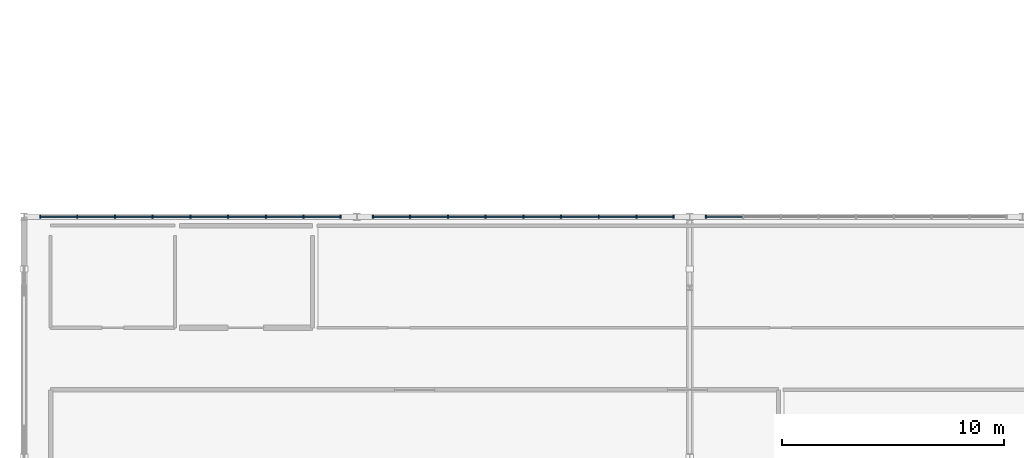
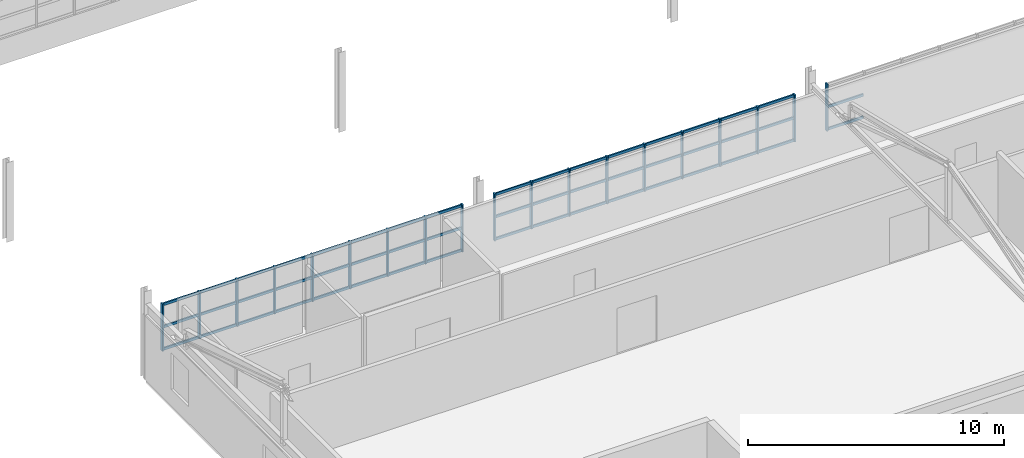
# One storey, part 15 of 90: 69 members, 3 elements without a shape of their own.
"""IFC4 building model written with IfcOpenShell, lengths in metres."""

from ifc_helpers import new_model, si_unit, direction, frame, origin, origin_2d, place, context, subcontext, project, spatial, rectangle, extrude, material, material_profile, profile_set, type_object, element, aggregate, save


model = new_model("IFC4")

# Units and contexts
model_context = context("Model", 3, precision=1e-05, world=origin(), true_north=direction((0.0, 1.0)))
body_context = subcontext(model_context, "Body", "Model", "MODEL_VIEW")
ifc_project = project(units=[si_unit("LENGTHUNIT", "METRE"), si_unit("AREAUNIT", "SQUARE_METRE"), si_unit("VOLUMEUNIT", "CUBIC_METRE"), si_unit("PLANEANGLEUNIT", "RADIAN"), si_unit("MASSUNIT", "GRAM", prefix="KILO")], contexts=[model_context])

# Site, building, storey
site_placement = place(None, origin())
site = spatial("IfcSite", under=ifc_project, at=site_placement, CompositionType="ELEMENT")
building_placement = place(site_placement, origin())
building = spatial("IfcBuilding", under=site, at=building_placement, Name="Solanera Park Tramway Depot", CompositionType="ELEMENT")
storey_placement = place(building_placement, frame((0.0, 0.0, 9.0)))
storey = spatial("IfcBuildingStorey", under=building, at=storey_placement, Name="L02", CompositionType="ELEMENT", Elevation=9.0)

# Curtain wall, members
ifc_material_1 = material(Name="Bronze-anodised thermally broken aluminium curtain wall", Category="aluminium")
curtain_wall_type = type_object("IfcCurtainWallType", Name="Workshop Daylight Ribbon Curtain Wall", PredefinedType="NOTDEFINED", material=ifc_material_1)
curtain_wall_1_placement = place(storey_placement, origin())
curtain_wall_1 = element("IfcCurtainWall", 1, at=curtain_wall_1_placement, inside=storey, type_object=curtain_wall_type, Name="L02 Workshop Daylight Ribbon Curtain Wall #153", PredefinedType="NOTDEFINED")
ifc_material_2 = material(Name="Bronze-anodised structural aluminium 6063-T6", Category="aluminium")
ifc_material_profile_1 = material_profile(ifc_material_2, rectangle(XDim=0.06494140625, YDim=0.14990234375, at=origin_2d()), Name="Curtain Wall Mullion 65x150")
ifc_profile_set_1 = profile_set([ifc_material_profile_1], Name="Bronze-anodised structural aluminium 6063-T6")
member_type_1 = type_object("IfcMemberType", Name="Curtain Wall Mullion 65x150", PredefinedType="MULLION", material=ifc_profile_set_1)
member_1_placement = place(storey_placement, frame((0.732421875, 32.39990234375, 1.0), z_axis=(0.0, 0.0, 1.0), x_axis=(1.0, 0.0, 0.0)))
member_1 = element("IfcMember", 2, at=member_1_placement, type_object=member_type_1, Name="CW-L02-153 Mullion 1", PredefinedType="MULLION", context=body_context, shape_type="SweptSolid", body=[
    extrude(rectangle(XDim=0.06494140625, YDim=0.14990234375, at=origin_2d()), origin(), (0.0, 0.0, 1.0), 2.25),
])
member_2_placement = place(storey_placement, frame((2.39990234375, 32.39990234375, 1.0), z_axis=(0.0, 0.0, 1.0), x_axis=(1.0, 0.0, 0.0)))
member_2 = element("IfcMember", 3, at=member_2_placement, type_object=member_type_1, Name="CW-L02-153 Mullion 2", PredefinedType="MULLION", context=body_context, shape_type="SweptSolid", body=[
    extrude(rectangle(XDim=0.06494140625, YDim=0.14990234375, at=origin_2d()), origin(), (0.0, 0.0, 1.0), 2.25),
])
member_3_placement = place(storey_placement, frame((4.10009765625, 32.39990234375, 1.0), z_axis=(0.0, 0.0, 1.0), x_axis=(1.0, 0.0, 0.0)))
member_3 = element("IfcMember", 4, at=member_3_placement, type_object=member_type_1, Name="CW-L02-153 Mullion 3", PredefinedType="MULLION", context=body_context, shape_type="SweptSolid", body=[
    extrude(rectangle(XDim=0.06494140625, YDim=0.14990234375, at=origin_2d()), origin(), (0.0, 0.0, 1.0), 2.25),
])
member_4_placement = place(storey_placement, frame((5.800048828125, 32.39990234375, 1.0), z_axis=(0.0, 0.0, 1.0), x_axis=(1.0, 0.0, 0.0)))
member_4 = element("IfcMember", 5, at=member_4_placement, type_object=member_type_1, Name="CW-L02-153 Mullion 4", PredefinedType="MULLION", context=body_context, shape_type="SweptSolid", body=[
    extrude(rectangle(XDim=0.06494140625, YDim=0.14990234375, at=origin_2d()), origin(), (0.0, 0.0, 1.0), 2.25),
])
member_5_placement = place(storey_placement, frame((7.5, 32.39990234375, 1.0), z_axis=(0.0, 0.0, 1.0), x_axis=(1.0, 0.0, 0.0)))
member_5 = element("IfcMember", 6, at=member_5_placement, type_object=member_type_1, Name="CW-L02-153 Mullion 5", PredefinedType="MULLION", context=body_context, shape_type="SweptSolid", body=[
    extrude(rectangle(XDim=0.06494140625, YDim=0.14990234375, at=origin_2d()), origin(), (0.0, 0.0, 1.0), 2.25),
])
member_6_placement = place(storey_placement, frame((9.199951171875, 32.39990234375, 1.0), z_axis=(0.0, 0.0, 1.0), x_axis=(1.0, 0.0, 0.0)))
member_6 = element("IfcMember", 7, at=member_6_placement, type_object=member_type_1, Name="CW-L02-153 Mullion 6", PredefinedType="MULLION", context=body_context, shape_type="SweptSolid", body=[
    extrude(rectangle(XDim=0.06494140625, YDim=0.14990234375, at=origin_2d()), origin(), (0.0, 0.0, 1.0), 2.25),
])
member_7_placement = place(storey_placement, frame((10.89990234375, 32.39990234375, 1.0), z_axis=(0.0, 0.0, 1.0), x_axis=(1.0, 0.0, 0.0)))
member_7 = element("IfcMember", 8, at=member_7_placement, type_object=member_type_1, Name="CW-L02-153 Mullion 7", PredefinedType="MULLION", context=body_context, shape_type="SweptSolid", body=[
    extrude(rectangle(XDim=0.06494140625, YDim=0.14990234375, at=origin_2d()), origin(), (0.0, 0.0, 1.0), 2.25),
])
member_8_placement = place(storey_placement, frame((12.60009765625, 32.39990234375, 1.0), z_axis=(0.0, 0.0, 1.0), x_axis=(1.0, 0.0, 0.0)))
member_8 = element("IfcMember", 9, at=member_8_placement, type_object=member_type_1, Name="CW-L02-153 Mullion 8", PredefinedType="MULLION", context=body_context, shape_type="SweptSolid", body=[
    extrude(rectangle(XDim=0.06494140625, YDim=0.14990234375, at=origin_2d()), origin(), (0.0, 0.0, 1.0), 2.25),
])
member_9_placement = place(storey_placement, frame((14.267578125, 32.39990234375, 1.0), z_axis=(0.0, 0.0, 1.0), x_axis=(1.0, 0.0, 0.0)))
member_9 = element("IfcMember", 10, at=member_9_placement, type_object=member_type_1, Name="CW-L02-153 Mullion 9", PredefinedType="MULLION", context=body_context, shape_type="SweptSolid", body=[
    extrude(rectangle(XDim=0.06494140625, YDim=0.14990234375, at=origin_2d()), origin(), (0.0, 0.0, 1.0), 2.25),
])

curtain_wall_2_placement = place(storey_placement, origin())
curtain_wall_2 = element("IfcCurtainWall", 11, at=curtain_wall_2_placement, inside=storey, type_object=curtain_wall_type, Name="L02 Workshop Daylight Ribbon Curtain Wall #155", PredefinedType="NOTDEFINED")
member_10_placement = place(storey_placement, frame((15.732421875, 32.39990234375, 1.0), z_axis=(0.0, 0.0, 1.0), x_axis=(1.0, 0.0, 0.0)))
member_10 = element("IfcMember", 12, at=member_10_placement, type_object=member_type_1, Name="CW-L02-155 Mullion 1", PredefinedType="MULLION", context=body_context, shape_type="SweptSolid", body=[
    extrude(rectangle(XDim=0.06494140625, YDim=0.14990234375, at=origin_2d()), origin(), (0.0, 0.0, 1.0), 2.25),
])
member_11_placement = place(storey_placement, frame((17.39990234375, 32.39990234375, 1.0), z_axis=(0.0, 0.0, 1.0), x_axis=(1.0, 0.0, 0.0)))
member_11 = element("IfcMember", 13, at=member_11_placement, type_object=member_type_1, Name="CW-L02-155 Mullion 2", PredefinedType="MULLION", context=body_context, shape_type="SweptSolid", body=[
    extrude(rectangle(XDim=0.06494140625, YDim=0.14990234375, at=origin_2d()), origin(), (0.0, 0.0, 1.0), 2.25),
])
member_12_placement = place(storey_placement, frame((19.10009765625, 32.39990234375, 1.0), z_axis=(0.0, 0.0, 1.0), x_axis=(1.0, 0.0, 0.0)))
member_12 = element("IfcMember", 14, at=member_12_placement, type_object=member_type_1, Name="CW-L02-155 Mullion 3", PredefinedType="MULLION", context=body_context, shape_type="SweptSolid", body=[
    extrude(rectangle(XDim=0.06494140625, YDim=0.14990234375, at=origin_2d()), origin(), (0.0, 0.0, 1.0), 2.25),
])
member_13_placement = place(storey_placement, frame((20.800048828125, 32.39990234375, 1.0), z_axis=(0.0, 0.0, 1.0), x_axis=(1.0, 0.0, 0.0)))
member_13 = element("IfcMember", 15, at=member_13_placement, type_object=member_type_1, Name="CW-L02-155 Mullion 4", PredefinedType="MULLION", context=body_context, shape_type="SweptSolid", body=[
    extrude(rectangle(XDim=0.06494140625, YDim=0.14990234375, at=origin_2d()), origin(), (0.0, 0.0, 1.0), 2.25),
])
member_14_placement = place(storey_placement, frame((22.5, 32.39990234375, 1.0), z_axis=(0.0, 0.0, 1.0), x_axis=(1.0, 0.0, 0.0)))
member_14 = element("IfcMember", 16, at=member_14_placement, type_object=member_type_1, Name="CW-L02-155 Mullion 5", PredefinedType="MULLION", context=body_context, shape_type="SweptSolid", body=[
    extrude(rectangle(XDim=0.06494140625, YDim=0.14990234375, at=origin_2d()), origin(), (0.0, 0.0, 1.0), 2.25),
])
member_15_placement = place(storey_placement, frame((24.199951171875, 32.39990234375, 1.0), z_axis=(0.0, 0.0, 1.0), x_axis=(1.0, 0.0, 0.0)))
member_15 = element("IfcMember", 17, at=member_15_placement, type_object=member_type_1, Name="CW-L02-155 Mullion 6", PredefinedType="MULLION", context=body_context, shape_type="SweptSolid", body=[
    extrude(rectangle(XDim=0.06494140625, YDim=0.14990234375, at=origin_2d()), origin(), (0.0, 0.0, 1.0), 2.25),
])
member_16_placement = place(storey_placement, frame((25.89990234375, 32.39990234375, 1.0), z_axis=(0.0, 0.0, 1.0), x_axis=(1.0, 0.0, 0.0)))
member_16 = element("IfcMember", 18, at=member_16_placement, type_object=member_type_1, Name="CW-L02-155 Mullion 7", PredefinedType="MULLION", context=body_context, shape_type="SweptSolid", body=[
    extrude(rectangle(XDim=0.06494140625, YDim=0.14990234375, at=origin_2d()), origin(), (0.0, 0.0, 1.0), 2.25),
])
member_17_placement = place(storey_placement, frame((27.60009765625, 32.39990234375, 1.0), z_axis=(0.0, 0.0, 1.0), x_axis=(1.0, 0.0, 0.0)))
member_17 = element("IfcMember", 19, at=member_17_placement, type_object=member_type_1, Name="CW-L02-155 Mullion 8", PredefinedType="MULLION", context=body_context, shape_type="SweptSolid", body=[
    extrude(rectangle(XDim=0.06494140625, YDim=0.14990234375, at=origin_2d()), origin(), (0.0, 0.0, 1.0), 2.25),
])
member_18_placement = place(storey_placement, frame((29.267578125, 32.39990234375, 1.0), z_axis=(0.0, 0.0, 1.0), x_axis=(1.0, 0.0, 0.0)))
member_18 = element("IfcMember", 20, at=member_18_placement, type_object=member_type_1, Name="CW-L02-155 Mullion 9", PredefinedType="MULLION", context=body_context, shape_type="SweptSolid", body=[
    extrude(rectangle(XDim=0.06494140625, YDim=0.14990234375, at=origin_2d()), origin(), (0.0, 0.0, 1.0), 2.25),
])

# Curtain wall, member
curtain_wall_3_placement = place(storey_placement, origin())
curtain_wall_3 = element("IfcCurtainWall", 21, at=curtain_wall_3_placement, inside=storey, type_object=curtain_wall_type, Name="L02 Workshop Daylight Ribbon Curtain Wall #157", PredefinedType="NOTDEFINED")
member_19_placement = place(storey_placement, frame((30.732421875, 32.39990234375, 1.0), z_axis=(0.0, 0.0, 1.0), x_axis=(1.0, 0.0, 0.0)))
member_19 = element("IfcMember", 22, at=member_19_placement, type_object=member_type_1, Name="CW-L02-157 Mullion 1", PredefinedType="MULLION", context=body_context, shape_type="SweptSolid", body=[
    extrude(rectangle(XDim=0.06494140625, YDim=0.14990234375, at=origin_2d()), origin(), (0.0, 0.0, 1.0), 2.25),
])

# Member
ifc_material_3 = material(Name="Bronze-anodised structural aluminium 6063-T6", Category="aluminium")
ifc_material_profile_2 = material_profile(ifc_material_3, rectangle(XDim=0.06494140625, YDim=0.1201171875, at=origin_2d()), Name="Curtain Wall Transom 65x120")
ifc_profile_set_2 = profile_set([ifc_material_profile_2], Name="Bronze-anodised structural aluminium 6063-T6")
member_type_2 = type_object("IfcMemberType", Name="Curtain Wall Transom 65x120", PredefinedType="USERDEFINED", material=ifc_profile_set_2)
member_20_placement = place(storey_placement, frame((0.760498046875, 32.39990234375, 1.06005859375), z_axis=(1.0, 0.0, 0.0), x_axis=(0.0, 1.0, 0.0)))
member_20 = element("IfcMember", 23, at=member_20_placement, type_object=member_type_2, Name="CW-L02-153 Transom R1.C1", ObjectType="TRANSOM", PredefinedType="USERDEFINED", context=body_context, shape_type="SweptSolid", body=[
    extrude(rectangle(XDim=0.06494140625, YDim=0.1201171875, at=origin_2d()), origin(), (0.0, 0.0, 1.0), 1.611572265625),
])

member_21_placement = place(storey_placement, frame((2.427978515625, 32.39990234375, 1.06005859375), z_axis=(1.0, 0.0, 0.0), x_axis=(0.0, 1.0, 0.0)))
member_21 = element("IfcMember", 24, at=member_21_placement, type_object=member_type_2, Name="CW-L02-153 Transom R1.C2", ObjectType="TRANSOM", PredefinedType="USERDEFINED", context=body_context, shape_type="SweptSolid", body=[
    extrude(rectangle(XDim=0.06494140625, YDim=0.1201171875, at=origin_2d()), origin(), (0.0, 0.0, 1.0), 1.64404296875),
])

member_22_placement = place(storey_placement, frame((4.1279296875, 32.39990234375, 1.06005859375), z_axis=(1.0, 0.0, 0.0), x_axis=(0.0, 1.0, 0.0)))
member_22 = element("IfcMember", 25, at=member_22_placement, type_object=member_type_2, Name="CW-L02-153 Transom R1.C3", ObjectType="TRANSOM", PredefinedType="USERDEFINED", context=body_context, shape_type="SweptSolid", body=[
    extrude(rectangle(XDim=0.06494140625, YDim=0.1201171875, at=origin_2d()), origin(), (0.0, 0.0, 1.0), 1.64404296875),
])

member_23_placement = place(storey_placement, frame((5.827880859375, 32.39990234375, 1.06005859375), z_axis=(1.0, 0.0, 0.0), x_axis=(0.0, 1.0, 0.0)))
member_23 = element("IfcMember", 26, at=member_23_placement, type_object=member_type_2, Name="CW-L02-153 Transom R1.C4", ObjectType="TRANSOM", PredefinedType="USERDEFINED", context=body_context, shape_type="SweptSolid", body=[
    extrude(rectangle(XDim=0.06494140625, YDim=0.1201171875, at=origin_2d()), origin(), (0.0, 0.0, 1.0), 1.64404296875),
])

member_24_placement = place(storey_placement, frame((7.528076171875, 32.39990234375, 1.06005859375), z_axis=(1.0, 0.0, 0.0), x_axis=(0.0, 1.0, 0.0)))
member_24 = element("IfcMember", 27, at=member_24_placement, type_object=member_type_2, Name="CW-L02-153 Transom R1.C5", ObjectType="TRANSOM", PredefinedType="USERDEFINED", context=body_context, shape_type="SweptSolid", body=[
    extrude(rectangle(XDim=0.06494140625, YDim=0.1201171875, at=origin_2d()), origin(), (0.0, 0.0, 1.0), 1.64404296875),
])

member_25_placement = place(storey_placement, frame((9.22802734375, 32.39990234375, 1.06005859375), z_axis=(1.0, 0.0, 0.0), x_axis=(0.0, 1.0, 0.0)))
member_25 = element("IfcMember", 28, at=member_25_placement, type_object=member_type_2, Name="CW-L02-153 Transom R1.C6", ObjectType="TRANSOM", PredefinedType="USERDEFINED", context=body_context, shape_type="SweptSolid", body=[
    extrude(rectangle(XDim=0.06494140625, YDim=0.1201171875, at=origin_2d()), origin(), (0.0, 0.0, 1.0), 1.64404296875),
])

member_26_placement = place(storey_placement, frame((10.927978515625, 32.39990234375, 1.06005859375), z_axis=(1.0, 0.0, 0.0), x_axis=(0.0, 1.0, 0.0)))
member_26 = element("IfcMember", 29, at=member_26_placement, type_object=member_type_2, Name="CW-L02-153 Transom R1.C7", ObjectType="TRANSOM", PredefinedType="USERDEFINED", context=body_context, shape_type="SweptSolid", body=[
    extrude(rectangle(XDim=0.06494140625, YDim=0.1201171875, at=origin_2d()), origin(), (0.0, 0.0, 1.0), 1.64404296875),
])

member_27_placement = place(storey_placement, frame((12.6279296875, 32.39990234375, 1.06005859375), z_axis=(1.0, 0.0, 0.0), x_axis=(0.0, 1.0, 0.0)))
member_27 = element("IfcMember", 30, at=member_27_placement, type_object=member_type_2, Name="CW-L02-153 Transom R1.C8", ObjectType="TRANSOM", PredefinedType="USERDEFINED", context=body_context, shape_type="SweptSolid", body=[
    extrude(rectangle(XDim=0.06494140625, YDim=0.1201171875, at=origin_2d()), origin(), (0.0, 0.0, 1.0), 1.611572265625),
])

member_28_placement = place(storey_placement, frame((0.760498046875, 32.39990234375, 2.125), z_axis=(1.0, 0.0, 0.0), x_axis=(0.0, 1.0, 0.0)))
member_28 = element("IfcMember", 31, at=member_28_placement, type_object=member_type_2, Name="CW-L02-153 Transom R2.C1", ObjectType="TRANSOM", PredefinedType="USERDEFINED", context=body_context, shape_type="SweptSolid", body=[
    extrude(rectangle(XDim=0.06494140625, YDim=0.1201171875, at=origin_2d()), origin(), (0.0, 0.0, 1.0), 1.611572265625),
])

member_29_placement = place(storey_placement, frame((2.427978515625, 32.39990234375, 2.125), z_axis=(1.0, 0.0, 0.0), x_axis=(0.0, 1.0, 0.0)))
member_29 = element("IfcMember", 32, at=member_29_placement, type_object=member_type_2, Name="CW-L02-153 Transom R2.C2", ObjectType="TRANSOM", PredefinedType="USERDEFINED", context=body_context, shape_type="SweptSolid", body=[
    extrude(rectangle(XDim=0.06494140625, YDim=0.1201171875, at=origin_2d()), origin(), (0.0, 0.0, 1.0), 1.64404296875),
])

member_30_placement = place(storey_placement, frame((4.1279296875, 32.39990234375, 2.125), z_axis=(1.0, 0.0, 0.0), x_axis=(0.0, 1.0, 0.0)))
member_30 = element("IfcMember", 33, at=member_30_placement, type_object=member_type_2, Name="CW-L02-153 Transom R2.C3", ObjectType="TRANSOM", PredefinedType="USERDEFINED", context=body_context, shape_type="SweptSolid", body=[
    extrude(rectangle(XDim=0.06494140625, YDim=0.1201171875, at=origin_2d()), origin(), (0.0, 0.0, 1.0), 1.64404296875),
])

member_31_placement = place(storey_placement, frame((5.827880859375, 32.39990234375, 2.125), z_axis=(1.0, 0.0, 0.0), x_axis=(0.0, 1.0, 0.0)))
member_31 = element("IfcMember", 34, at=member_31_placement, type_object=member_type_2, Name="CW-L02-153 Transom R2.C4", ObjectType="TRANSOM", PredefinedType="USERDEFINED", context=body_context, shape_type="SweptSolid", body=[
    extrude(rectangle(XDim=0.06494140625, YDim=0.1201171875, at=origin_2d()), origin(), (0.0, 0.0, 1.0), 1.64404296875),
])

member_32_placement = place(storey_placement, frame((7.528076171875, 32.39990234375, 2.125), z_axis=(1.0, 0.0, 0.0), x_axis=(0.0, 1.0, 0.0)))
member_32 = element("IfcMember", 35, at=member_32_placement, type_object=member_type_2, Name="CW-L02-153 Transom R2.C5", ObjectType="TRANSOM", PredefinedType="USERDEFINED", context=body_context, shape_type="SweptSolid", body=[
    extrude(rectangle(XDim=0.06494140625, YDim=0.1201171875, at=origin_2d()), origin(), (0.0, 0.0, 1.0), 1.64404296875),
])

member_33_placement = place(storey_placement, frame((9.22802734375, 32.39990234375, 2.125), z_axis=(1.0, 0.0, 0.0), x_axis=(0.0, 1.0, 0.0)))
member_33 = element("IfcMember", 36, at=member_33_placement, type_object=member_type_2, Name="CW-L02-153 Transom R2.C6", ObjectType="TRANSOM", PredefinedType="USERDEFINED", context=body_context, shape_type="SweptSolid", body=[
    extrude(rectangle(XDim=0.06494140625, YDim=0.1201171875, at=origin_2d()), origin(), (0.0, 0.0, 1.0), 1.64404296875),
])

member_34_placement = place(storey_placement, frame((10.927978515625, 32.39990234375, 2.125), z_axis=(1.0, 0.0, 0.0), x_axis=(0.0, 1.0, 0.0)))
member_34 = element("IfcMember", 37, at=member_34_placement, type_object=member_type_2, Name="CW-L02-153 Transom R2.C7", ObjectType="TRANSOM", PredefinedType="USERDEFINED", context=body_context, shape_type="SweptSolid", body=[
    extrude(rectangle(XDim=0.06494140625, YDim=0.1201171875, at=origin_2d()), origin(), (0.0, 0.0, 1.0), 1.64404296875),
])

member_35_placement = place(storey_placement, frame((12.6279296875, 32.39990234375, 2.125), z_axis=(1.0, 0.0, 0.0), x_axis=(0.0, 1.0, 0.0)))
member_35 = element("IfcMember", 38, at=member_35_placement, type_object=member_type_2, Name="CW-L02-153 Transom R2.C8", ObjectType="TRANSOM", PredefinedType="USERDEFINED", context=body_context, shape_type="SweptSolid", body=[
    extrude(rectangle(XDim=0.06494140625, YDim=0.1201171875, at=origin_2d()), origin(), (0.0, 0.0, 1.0), 1.611572265625),
])

member_36_placement = place(storey_placement, frame((0.760498046875, 32.39990234375, 3.18994140625), z_axis=(1.0, 0.0, 0.0), x_axis=(0.0, 1.0, 0.0)))
member_36 = element("IfcMember", 39, at=member_36_placement, type_object=member_type_2, Name="CW-L02-153 Transom R3.C1", ObjectType="TRANSOM", PredefinedType="USERDEFINED", context=body_context, shape_type="SweptSolid", body=[
    extrude(rectangle(XDim=0.06494140625, YDim=0.1201171875, at=origin_2d()), origin(), (0.0, 0.0, 1.0), 1.611572265625),
])

member_37_placement = place(storey_placement, frame((2.427978515625, 32.39990234375, 3.18994140625), z_axis=(1.0, 0.0, 0.0), x_axis=(0.0, 1.0, 0.0)))
member_37 = element("IfcMember", 40, at=member_37_placement, type_object=member_type_2, Name="CW-L02-153 Transom R3.C2", ObjectType="TRANSOM", PredefinedType="USERDEFINED", context=body_context, shape_type="SweptSolid", body=[
    extrude(rectangle(XDim=0.06494140625, YDim=0.1201171875, at=origin_2d()), origin(), (0.0, 0.0, 1.0), 1.64404296875),
])

member_38_placement = place(storey_placement, frame((4.1279296875, 32.39990234375, 3.18994140625), z_axis=(1.0, 0.0, 0.0), x_axis=(0.0, 1.0, 0.0)))
member_38 = element("IfcMember", 41, at=member_38_placement, type_object=member_type_2, Name="CW-L02-153 Transom R3.C3", ObjectType="TRANSOM", PredefinedType="USERDEFINED", context=body_context, shape_type="SweptSolid", body=[
    extrude(rectangle(XDim=0.06494140625, YDim=0.1201171875, at=origin_2d()), origin(), (0.0, 0.0, 1.0), 1.64404296875),
])

member_39_placement = place(storey_placement, frame((5.827880859375, 32.39990234375, 3.18994140625), z_axis=(1.0, 0.0, 0.0), x_axis=(0.0, 1.0, 0.0)))
member_39 = element("IfcMember", 42, at=member_39_placement, type_object=member_type_2, Name="CW-L02-153 Transom R3.C4", ObjectType="TRANSOM", PredefinedType="USERDEFINED", context=body_context, shape_type="SweptSolid", body=[
    extrude(rectangle(XDim=0.06494140625, YDim=0.1201171875, at=origin_2d()), origin(), (0.0, 0.0, 1.0), 1.64404296875),
])

member_40_placement = place(storey_placement, frame((7.528076171875, 32.39990234375, 3.18994140625), z_axis=(1.0, 0.0, 0.0), x_axis=(0.0, 1.0, 0.0)))
member_40 = element("IfcMember", 43, at=member_40_placement, type_object=member_type_2, Name="CW-L02-153 Transom R3.C5", ObjectType="TRANSOM", PredefinedType="USERDEFINED", context=body_context, shape_type="SweptSolid", body=[
    extrude(rectangle(XDim=0.06494140625, YDim=0.1201171875, at=origin_2d()), origin(), (0.0, 0.0, 1.0), 1.64404296875),
])

member_41_placement = place(storey_placement, frame((9.22802734375, 32.39990234375, 3.18994140625), z_axis=(1.0, 0.0, 0.0), x_axis=(0.0, 1.0, 0.0)))
member_41 = element("IfcMember", 44, at=member_41_placement, type_object=member_type_2, Name="CW-L02-153 Transom R3.C6", ObjectType="TRANSOM", PredefinedType="USERDEFINED", context=body_context, shape_type="SweptSolid", body=[
    extrude(rectangle(XDim=0.06494140625, YDim=0.1201171875, at=origin_2d()), origin(), (0.0, 0.0, 1.0), 1.64404296875),
])

member_42_placement = place(storey_placement, frame((10.927978515625, 32.39990234375, 3.18994140625), z_axis=(1.0, 0.0, 0.0), x_axis=(0.0, 1.0, 0.0)))
member_42 = element("IfcMember", 45, at=member_42_placement, type_object=member_type_2, Name="CW-L02-153 Transom R3.C7", ObjectType="TRANSOM", PredefinedType="USERDEFINED", context=body_context, shape_type="SweptSolid", body=[
    extrude(rectangle(XDim=0.06494140625, YDim=0.1201171875, at=origin_2d()), origin(), (0.0, 0.0, 1.0), 1.64404296875),
])

member_43_placement = place(storey_placement, frame((12.6279296875, 32.39990234375, 3.18994140625), z_axis=(1.0, 0.0, 0.0), x_axis=(0.0, 1.0, 0.0)))
member_43 = element("IfcMember", 46, at=member_43_placement, type_object=member_type_2, Name="CW-L02-153 Transom R3.C8", ObjectType="TRANSOM", PredefinedType="USERDEFINED", context=body_context, shape_type="SweptSolid", body=[
    extrude(rectangle(XDim=0.06494140625, YDim=0.1201171875, at=origin_2d()), origin(), (0.0, 0.0, 1.0), 1.611572265625),
])

aggregate(curtain_wall_1, [member_1, member_2, member_3, member_4, member_5, member_6, member_7, member_8, member_9, member_20, member_21, member_22, member_23, member_24, member_25, member_26, member_27, member_28, member_29, member_30, member_31, member_32, member_33, member_34, member_35, member_36, member_37, member_38, member_39, member_40, member_41, member_42, member_43])

member_44_placement = place(storey_placement, frame((15.760498046875, 32.39990234375, 1.06005859375), z_axis=(1.0, 0.0, 0.0), x_axis=(0.0, 1.0, 0.0)))
member_44 = element("IfcMember", 47, at=member_44_placement, type_object=member_type_2, Name="CW-L02-155 Transom R1.C1", ObjectType="TRANSOM", PredefinedType="USERDEFINED", context=body_context, shape_type="SweptSolid", body=[
    extrude(rectangle(XDim=0.06494140625, YDim=0.1201171875, at=origin_2d()), origin(), (0.0, 0.0, 1.0), 1.611572265625),
])

member_45_placement = place(storey_placement, frame((17.427978515625, 32.39990234375, 1.06005859375), z_axis=(1.0, 0.0, 0.0), x_axis=(0.0, 1.0, 0.0)))
member_45 = element("IfcMember", 48, at=member_45_placement, type_object=member_type_2, Name="CW-L02-155 Transom R1.C2", ObjectType="TRANSOM", PredefinedType="USERDEFINED", context=body_context, shape_type="SweptSolid", body=[
    extrude(rectangle(XDim=0.06494140625, YDim=0.1201171875, at=origin_2d()), origin(), (0.0, 0.0, 1.0), 1.64404296875),
])

member_46_placement = place(storey_placement, frame((19.1279296875, 32.39990234375, 1.06005859375), z_axis=(1.0, 0.0, 0.0), x_axis=(0.0, 1.0, 0.0)))
member_46 = element("IfcMember", 49, at=member_46_placement, type_object=member_type_2, Name="CW-L02-155 Transom R1.C3", ObjectType="TRANSOM", PredefinedType="USERDEFINED", context=body_context, shape_type="SweptSolid", body=[
    extrude(rectangle(XDim=0.06494140625, YDim=0.1201171875, at=origin_2d()), origin(), (0.0, 0.0, 1.0), 1.64404296875),
])

member_47_placement = place(storey_placement, frame((20.827880859375, 32.39990234375, 1.06005859375), z_axis=(1.0, 0.0, 0.0), x_axis=(0.0, 1.0, 0.0)))
member_47 = element("IfcMember", 50, at=member_47_placement, type_object=member_type_2, Name="CW-L02-155 Transom R1.C4", ObjectType="TRANSOM", PredefinedType="USERDEFINED", context=body_context, shape_type="SweptSolid", body=[
    extrude(rectangle(XDim=0.06494140625, YDim=0.1201171875, at=origin_2d()), origin(), (0.0, 0.0, 1.0), 1.64404296875),
])

member_48_placement = place(storey_placement, frame((22.528076171875, 32.39990234375, 1.06005859375), z_axis=(1.0, 0.0, 0.0), x_axis=(0.0, 1.0, 0.0)))
member_48 = element("IfcMember", 51, at=member_48_placement, type_object=member_type_2, Name="CW-L02-155 Transom R1.C5", ObjectType="TRANSOM", PredefinedType="USERDEFINED", context=body_context, shape_type="SweptSolid", body=[
    extrude(rectangle(XDim=0.06494140625, YDim=0.1201171875, at=origin_2d()), origin(), (0.0, 0.0, 1.0), 1.64404296875),
])

member_49_placement = place(storey_placement, frame((24.22802734375, 32.39990234375, 1.06005859375), z_axis=(1.0, 0.0, 0.0), x_axis=(0.0, 1.0, 0.0)))
member_49 = element("IfcMember", 52, at=member_49_placement, type_object=member_type_2, Name="CW-L02-155 Transom R1.C6", ObjectType="TRANSOM", PredefinedType="USERDEFINED", context=body_context, shape_type="SweptSolid", body=[
    extrude(rectangle(XDim=0.06494140625, YDim=0.1201171875, at=origin_2d()), origin(), (0.0, 0.0, 1.0), 1.64404296875),
])

member_50_placement = place(storey_placement, frame((25.927978515625, 32.39990234375, 1.06005859375), z_axis=(1.0, 0.0, 0.0), x_axis=(0.0, 1.0, 0.0)))
member_50 = element("IfcMember", 53, at=member_50_placement, type_object=member_type_2, Name="CW-L02-155 Transom R1.C7", ObjectType="TRANSOM", PredefinedType="USERDEFINED", context=body_context, shape_type="SweptSolid", body=[
    extrude(rectangle(XDim=0.06494140625, YDim=0.1201171875, at=origin_2d()), origin(), (0.0, 0.0, 1.0), 1.64404296875),
])

member_51_placement = place(storey_placement, frame((27.6279296875, 32.39990234375, 1.06005859375), z_axis=(1.0, 0.0, 0.0), x_axis=(0.0, 1.0, 0.0)))
member_51 = element("IfcMember", 54, at=member_51_placement, type_object=member_type_2, Name="CW-L02-155 Transom R1.C8", ObjectType="TRANSOM", PredefinedType="USERDEFINED", context=body_context, shape_type="SweptSolid", body=[
    extrude(rectangle(XDim=0.06494140625, YDim=0.1201171875, at=origin_2d()), origin(), (0.0, 0.0, 1.0), 1.611572265625),
])

member_52_placement = place(storey_placement, frame((15.760498046875, 32.39990234375, 2.125), z_axis=(1.0, 0.0, 0.0), x_axis=(0.0, 1.0, 0.0)))
member_52 = element("IfcMember", 55, at=member_52_placement, type_object=member_type_2, Name="CW-L02-155 Transom R2.C1", ObjectType="TRANSOM", PredefinedType="USERDEFINED", context=body_context, shape_type="SweptSolid", body=[
    extrude(rectangle(XDim=0.06494140625, YDim=0.1201171875, at=origin_2d()), origin(), (0.0, 0.0, 1.0), 1.611572265625),
])

member_53_placement = place(storey_placement, frame((17.427978515625, 32.39990234375, 2.125), z_axis=(1.0, 0.0, 0.0), x_axis=(0.0, 1.0, 0.0)))
member_53 = element("IfcMember", 56, at=member_53_placement, type_object=member_type_2, Name="CW-L02-155 Transom R2.C2", ObjectType="TRANSOM", PredefinedType="USERDEFINED", context=body_context, shape_type="SweptSolid", body=[
    extrude(rectangle(XDim=0.06494140625, YDim=0.1201171875, at=origin_2d()), origin(), (0.0, 0.0, 1.0), 1.64404296875),
])

member_54_placement = place(storey_placement, frame((19.1279296875, 32.39990234375, 2.125), z_axis=(1.0, 0.0, 0.0), x_axis=(0.0, 1.0, 0.0)))
member_54 = element("IfcMember", 57, at=member_54_placement, type_object=member_type_2, Name="CW-L02-155 Transom R2.C3", ObjectType="TRANSOM", PredefinedType="USERDEFINED", context=body_context, shape_type="SweptSolid", body=[
    extrude(rectangle(XDim=0.06494140625, YDim=0.1201171875, at=origin_2d()), origin(), (0.0, 0.0, 1.0), 1.64404296875),
])

member_55_placement = place(storey_placement, frame((20.827880859375, 32.39990234375, 2.125), z_axis=(1.0, 0.0, 0.0), x_axis=(0.0, 1.0, 0.0)))
member_55 = element("IfcMember", 58, at=member_55_placement, type_object=member_type_2, Name="CW-L02-155 Transom R2.C4", ObjectType="TRANSOM", PredefinedType="USERDEFINED", context=body_context, shape_type="SweptSolid", body=[
    extrude(rectangle(XDim=0.06494140625, YDim=0.1201171875, at=origin_2d()), origin(), (0.0, 0.0, 1.0), 1.64404296875),
])

member_56_placement = place(storey_placement, frame((22.528076171875, 32.39990234375, 2.125), z_axis=(1.0, 0.0, 0.0), x_axis=(0.0, 1.0, 0.0)))
member_56 = element("IfcMember", 59, at=member_56_placement, type_object=member_type_2, Name="CW-L02-155 Transom R2.C5", ObjectType="TRANSOM", PredefinedType="USERDEFINED", context=body_context, shape_type="SweptSolid", body=[
    extrude(rectangle(XDim=0.06494140625, YDim=0.1201171875, at=origin_2d()), origin(), (0.0, 0.0, 1.0), 1.64404296875),
])

member_57_placement = place(storey_placement, frame((24.22802734375, 32.39990234375, 2.125), z_axis=(1.0, 0.0, 0.0), x_axis=(0.0, 1.0, 0.0)))
member_57 = element("IfcMember", 60, at=member_57_placement, type_object=member_type_2, Name="CW-L02-155 Transom R2.C6", ObjectType="TRANSOM", PredefinedType="USERDEFINED", context=body_context, shape_type="SweptSolid", body=[
    extrude(rectangle(XDim=0.06494140625, YDim=0.1201171875, at=origin_2d()), origin(), (0.0, 0.0, 1.0), 1.64404296875),
])

member_58_placement = place(storey_placement, frame((25.927978515625, 32.39990234375, 2.125), z_axis=(1.0, 0.0, 0.0), x_axis=(0.0, 1.0, 0.0)))
member_58 = element("IfcMember", 61, at=member_58_placement, type_object=member_type_2, Name="CW-L02-155 Transom R2.C7", ObjectType="TRANSOM", PredefinedType="USERDEFINED", context=body_context, shape_type="SweptSolid", body=[
    extrude(rectangle(XDim=0.06494140625, YDim=0.1201171875, at=origin_2d()), origin(), (0.0, 0.0, 1.0), 1.64404296875),
])

member_59_placement = place(storey_placement, frame((27.6279296875, 32.39990234375, 2.125), z_axis=(1.0, 0.0, 0.0), x_axis=(0.0, 1.0, 0.0)))
member_59 = element("IfcMember", 62, at=member_59_placement, type_object=member_type_2, Name="CW-L02-155 Transom R2.C8", ObjectType="TRANSOM", PredefinedType="USERDEFINED", context=body_context, shape_type="SweptSolid", body=[
    extrude(rectangle(XDim=0.06494140625, YDim=0.1201171875, at=origin_2d()), origin(), (0.0, 0.0, 1.0), 1.611572265625),
])

member_60_placement = place(storey_placement, frame((15.760498046875, 32.39990234375, 3.18994140625), z_axis=(1.0, 0.0, 0.0), x_axis=(0.0, 1.0, 0.0)))
member_60 = element("IfcMember", 63, at=member_60_placement, type_object=member_type_2, Name="CW-L02-155 Transom R3.C1", ObjectType="TRANSOM", PredefinedType="USERDEFINED", context=body_context, shape_type="SweptSolid", body=[
    extrude(rectangle(XDim=0.06494140625, YDim=0.1201171875, at=origin_2d()), origin(), (0.0, 0.0, 1.0), 1.611572265625),
])

member_61_placement = place(storey_placement, frame((17.427978515625, 32.39990234375, 3.18994140625), z_axis=(1.0, 0.0, 0.0), x_axis=(0.0, 1.0, 0.0)))
member_61 = element("IfcMember", 64, at=member_61_placement, type_object=member_type_2, Name="CW-L02-155 Transom R3.C2", ObjectType="TRANSOM", PredefinedType="USERDEFINED", context=body_context, shape_type="SweptSolid", body=[
    extrude(rectangle(XDim=0.06494140625, YDim=0.1201171875, at=origin_2d()), origin(), (0.0, 0.0, 1.0), 1.64404296875),
])

member_62_placement = place(storey_placement, frame((19.1279296875, 32.39990234375, 3.18994140625), z_axis=(1.0, 0.0, 0.0), x_axis=(0.0, 1.0, 0.0)))
member_62 = element("IfcMember", 65, at=member_62_placement, type_object=member_type_2, Name="CW-L02-155 Transom R3.C3", ObjectType="TRANSOM", PredefinedType="USERDEFINED", context=body_context, shape_type="SweptSolid", body=[
    extrude(rectangle(XDim=0.06494140625, YDim=0.1201171875, at=origin_2d()), origin(), (0.0, 0.0, 1.0), 1.64404296875),
])

member_63_placement = place(storey_placement, frame((20.827880859375, 32.39990234375, 3.18994140625), z_axis=(1.0, 0.0, 0.0), x_axis=(0.0, 1.0, 0.0)))
member_63 = element("IfcMember", 66, at=member_63_placement, type_object=member_type_2, Name="CW-L02-155 Transom R3.C4", ObjectType="TRANSOM", PredefinedType="USERDEFINED", context=body_context, shape_type="SweptSolid", body=[
    extrude(rectangle(XDim=0.06494140625, YDim=0.1201171875, at=origin_2d()), origin(), (0.0, 0.0, 1.0), 1.64404296875),
])

member_64_placement = place(storey_placement, frame((22.528076171875, 32.39990234375, 3.18994140625), z_axis=(1.0, 0.0, 0.0), x_axis=(0.0, 1.0, 0.0)))
member_64 = element("IfcMember", 67, at=member_64_placement, type_object=member_type_2, Name="CW-L02-155 Transom R3.C5", ObjectType="TRANSOM", PredefinedType="USERDEFINED", context=body_context, shape_type="SweptSolid", body=[
    extrude(rectangle(XDim=0.06494140625, YDim=0.1201171875, at=origin_2d()), origin(), (0.0, 0.0, 1.0), 1.64404296875),
])

member_65_placement = place(storey_placement, frame((24.22802734375, 32.39990234375, 3.18994140625), z_axis=(1.0, 0.0, 0.0), x_axis=(0.0, 1.0, 0.0)))
member_65 = element("IfcMember", 68, at=member_65_placement, type_object=member_type_2, Name="CW-L02-155 Transom R3.C6", ObjectType="TRANSOM", PredefinedType="USERDEFINED", context=body_context, shape_type="SweptSolid", body=[
    extrude(rectangle(XDim=0.06494140625, YDim=0.1201171875, at=origin_2d()), origin(), (0.0, 0.0, 1.0), 1.64404296875),
])

member_66_placement = place(storey_placement, frame((25.927978515625, 32.39990234375, 3.18994140625), z_axis=(1.0, 0.0, 0.0), x_axis=(0.0, 1.0, 0.0)))
member_66 = element("IfcMember", 69, at=member_66_placement, type_object=member_type_2, Name="CW-L02-155 Transom R3.C7", ObjectType="TRANSOM", PredefinedType="USERDEFINED", context=body_context, shape_type="SweptSolid", body=[
    extrude(rectangle(XDim=0.06494140625, YDim=0.1201171875, at=origin_2d()), origin(), (0.0, 0.0, 1.0), 1.64404296875),
])

member_67_placement = place(storey_placement, frame((27.6279296875, 32.39990234375, 3.18994140625), z_axis=(1.0, 0.0, 0.0), x_axis=(0.0, 1.0, 0.0)))
member_67 = element("IfcMember", 70, at=member_67_placement, type_object=member_type_2, Name="CW-L02-155 Transom R3.C8", ObjectType="TRANSOM", PredefinedType="USERDEFINED", context=body_context, shape_type="SweptSolid", body=[
    extrude(rectangle(XDim=0.06494140625, YDim=0.1201171875, at=origin_2d()), origin(), (0.0, 0.0, 1.0), 1.611572265625),
])

aggregate(curtain_wall_2, [member_10, member_11, member_12, member_13, member_14, member_15, member_16, member_17, member_18, member_44, member_45, member_46, member_47, member_48, member_49, member_50, member_51, member_52, member_53, member_54, member_55, member_56, member_57, member_58, member_59, member_60, member_61, member_62, member_63, member_64, member_65, member_66, member_67])

member_68_placement = place(storey_placement, frame((30.760498046875, 32.39990234375, 1.06005859375), z_axis=(1.0, 0.0, 0.0), x_axis=(0.0, 1.0, 0.0)))
member_68 = element("IfcMember", 71, at=member_68_placement, type_object=member_type_2, Name="CW-L02-157 Transom R1.C1", ObjectType="TRANSOM", PredefinedType="USERDEFINED", context=body_context, shape_type="SweptSolid", body=[
    extrude(rectangle(XDim=0.06494140625, YDim=0.1201171875, at=origin_2d()), origin(), (0.0, 0.0, 1.0), 1.611572265625),
])

member_69_placement = place(storey_placement, frame((30.760498046875, 32.39990234375, 2.125), z_axis=(1.0, 0.0, 0.0), x_axis=(0.0, 1.0, 0.0)))
member_69 = element("IfcMember", 72, at=member_69_placement, type_object=member_type_2, Name="CW-L02-157 Transom R2.C1", ObjectType="TRANSOM", PredefinedType="USERDEFINED", context=body_context, shape_type="SweptSolid", body=[
    extrude(rectangle(XDim=0.06494140625, YDim=0.1201171875, at=origin_2d()), origin(), (0.0, 0.0, 1.0), 1.611572265625),
])

aggregate(curtain_wall_3, [member_19, member_68, member_69])

save(model, "model.ifc")
